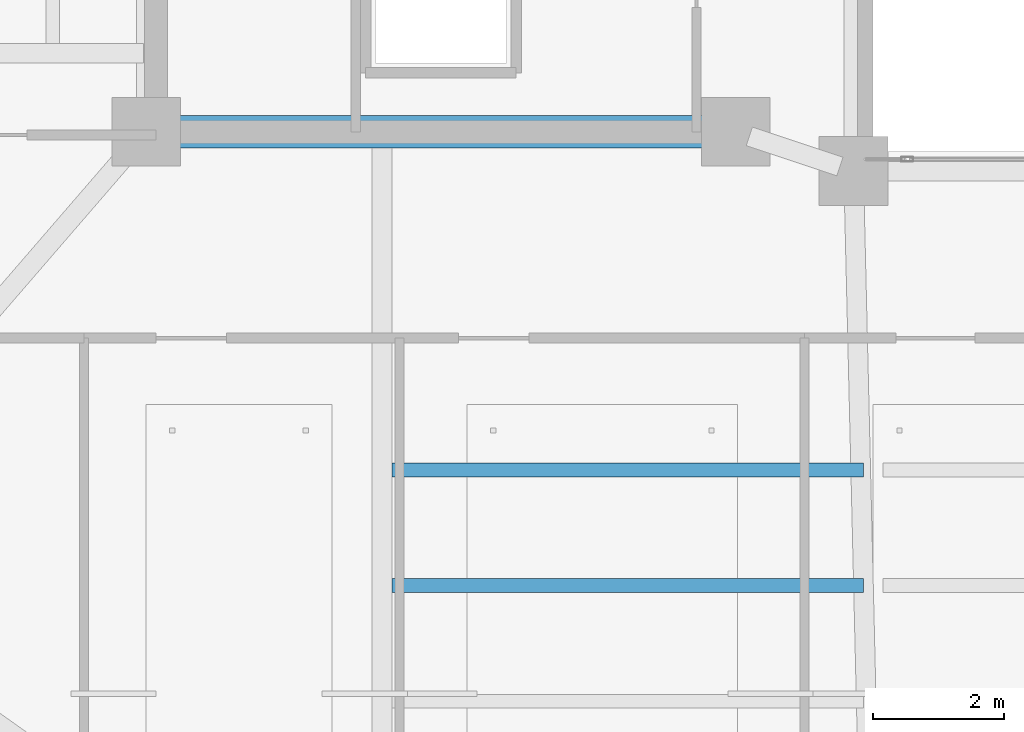
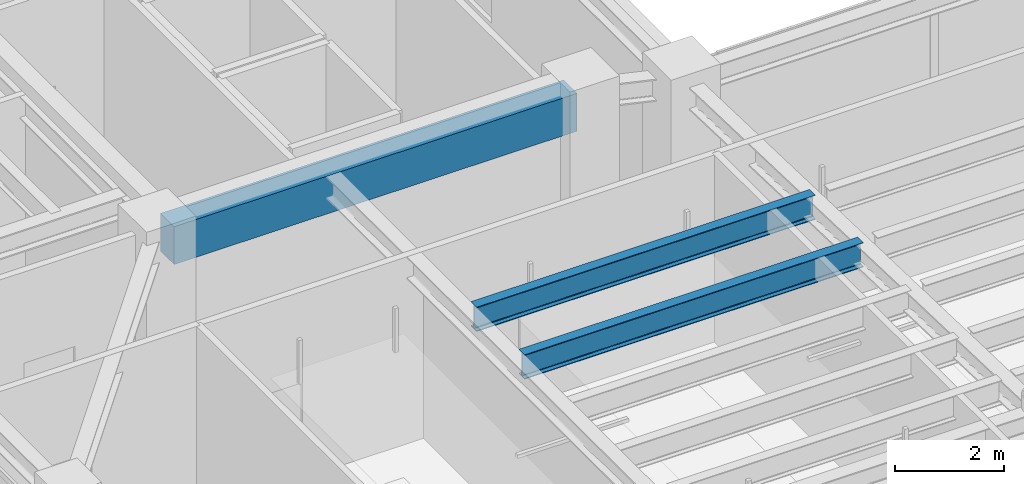
# One storey, part 4 of 33: 3 beams.
"""IFC4 building model written with IfcOpenShell, lengths in metres."""

from ifc_helpers import new_model, si_unit, direction, frame, origin, origin_2d, place, context, subcontext, project, spatial, rectangle, i_section, extrude, material, material_profile, profile_set, type_object, element, save


model = new_model("IFC4")

# Units and contexts
model_context = context("Model", 3, precision=1e-05, world=origin(), true_north=direction((0.0, 1.0)))
body_context = subcontext(model_context, "Body", "Model", "MODEL_VIEW")
ifc_project = project(units=[si_unit("LENGTHUNIT", "METRE"), si_unit("AREAUNIT", "SQUARE_METRE"), si_unit("VOLUMEUNIT", "CUBIC_METRE"), si_unit("PLANEANGLEUNIT", "RADIAN"), si_unit("MASSUNIT", "GRAM", prefix="KILO")], contexts=[model_context])

# Site, building, storey
site_placement = place(None, origin())
site = spatial("IfcSite", under=ifc_project, at=site_placement, CompositionType="ELEMENT")
building_placement = place(site_placement, origin())
building = spatial("IfcBuilding", under=site, at=building_placement, Name="Tarnavaz Court Tower", CompositionType="ELEMENT")
storey_placement = place(building_placement, frame((0.0, 0.0, 172.800048828125)))
storey = spatial("IfcBuildingStorey", under=building, at=storey_placement, Name="L47", CompositionType="ELEMENT", Elevation=172.800048828125)

# Beams
ifc_material_1 = material(Name="Concrete C50/60", Category="concrete")
ifc_material_profile_1 = material_profile(ifc_material_1, rectangle(XDim=0.5, YDim=0.85009765625, at=origin_2d()), Name="RC 500X850")
ifc_profile_set_1 = profile_set([ifc_material_profile_1], Name="Concrete C50/60")
beam_type_1 = type_object("IfcBeamType", Name="BM-CB850", PredefinedType="LINTEL", material=ifc_profile_set_1)
beam_placement = place(storey_placement, frame((-18.3798828125, -7.199951171875, 3.77490234375), z_axis=(1.0, 0.0, 0.0), x_axis=(0.0, 1.0, 0.0)))
element("IfcBeam", 1, at=beam_placement, inside=storey, type_object=beam_type_1, Name="L47 Beam IN-CW-SO-CW-SI", PredefinedType="LINTEL", context=body_context, shape_type="SweptSolid", body=[
    extrude(rectangle(XDim=0.5, YDim=0.85009765625, at=origin_2d()), origin(), (0.0, 0.0, 1.0), 8.559814453125),
])
ifc_material_2 = material(Name="Steel S355", Category="steel")
ifc_material_profile_2 = material_profile(ifc_material_2, i_section(OverallWidth=0.2099609375, OverallDepth=0.550048828125, WebThickness=0.010986328125, FlangeThickness=0.01708984375, FilletRadius=0.02392578125, at=origin_2d()), Name="IPE 550")
ifc_profile_set_2 = profile_set([ifc_material_profile_2], Name="Steel S355")
beam_type_2 = type_object("IfcBeamType", Name="BM-J-IPE550", PredefinedType="JOIST", material=ifc_profile_set_2)
for number, where, z_axis, x_axis, name in (
    (2, (-14.85009765625, -12.364013671875, 3.925048828125), (1.0, 0.0, 0.0), (0.0, 1.0, 0.0), "L47 Beam JS1-1"),
    (3, (-14.85009765625, -14.1279296875, 3.925048828125), (1.0, 0.0, 0.0), (0.0, 1.0, 0.0), "L47 Beam JS2-1"),
):
    element("IfcBeam", number, at=place(storey_placement, frame(where, z_axis=z_axis, x_axis=x_axis)), inside=storey, type_object=beam_type_2, Name=name, PredefinedType="JOIST", context=body_context, shape_type="SweptSolid", body=[
        extrude(i_section(OverallWidth=0.2099609375, OverallDepth=0.550048828125, WebThickness=0.010986328125, FlangeThickness=0.01708984375, FilletRadius=0.02392578125, at=origin_2d()), origin(), (0.0, 0.0, 1.0), 7.2001953125),
    ])

save(model, "model.ifc")
